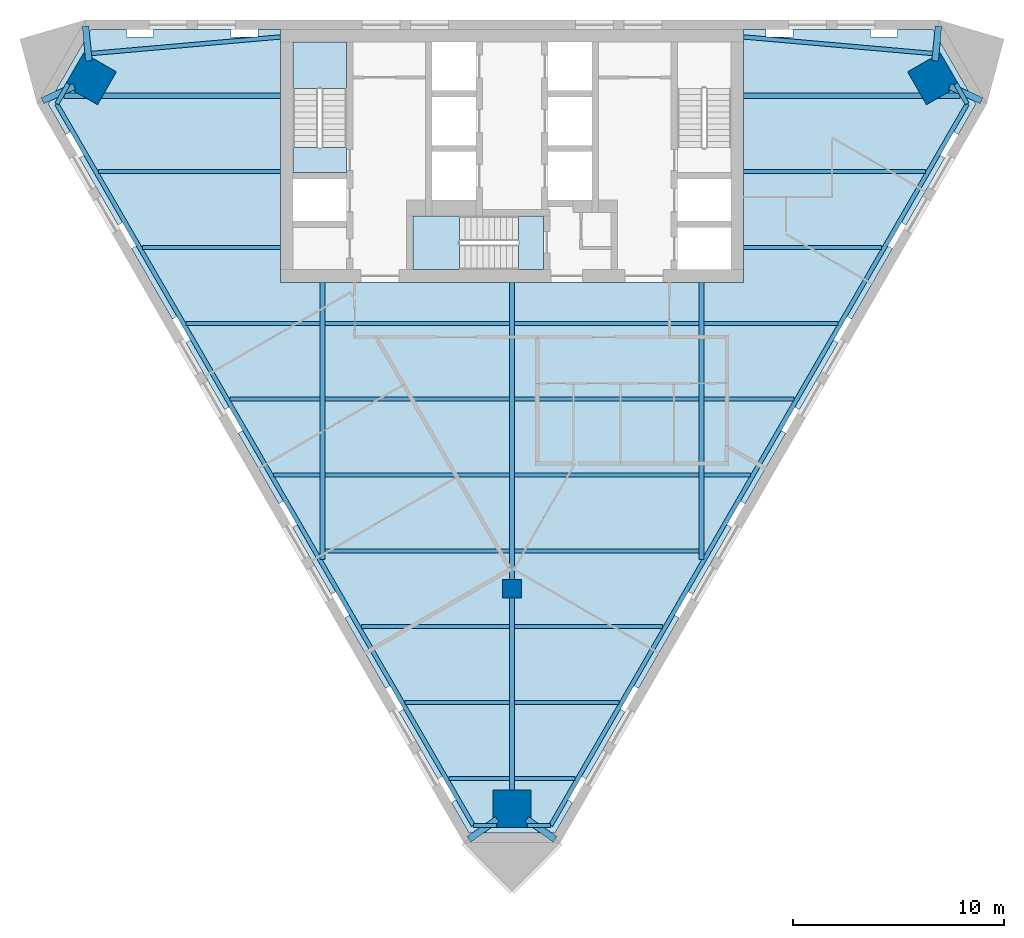
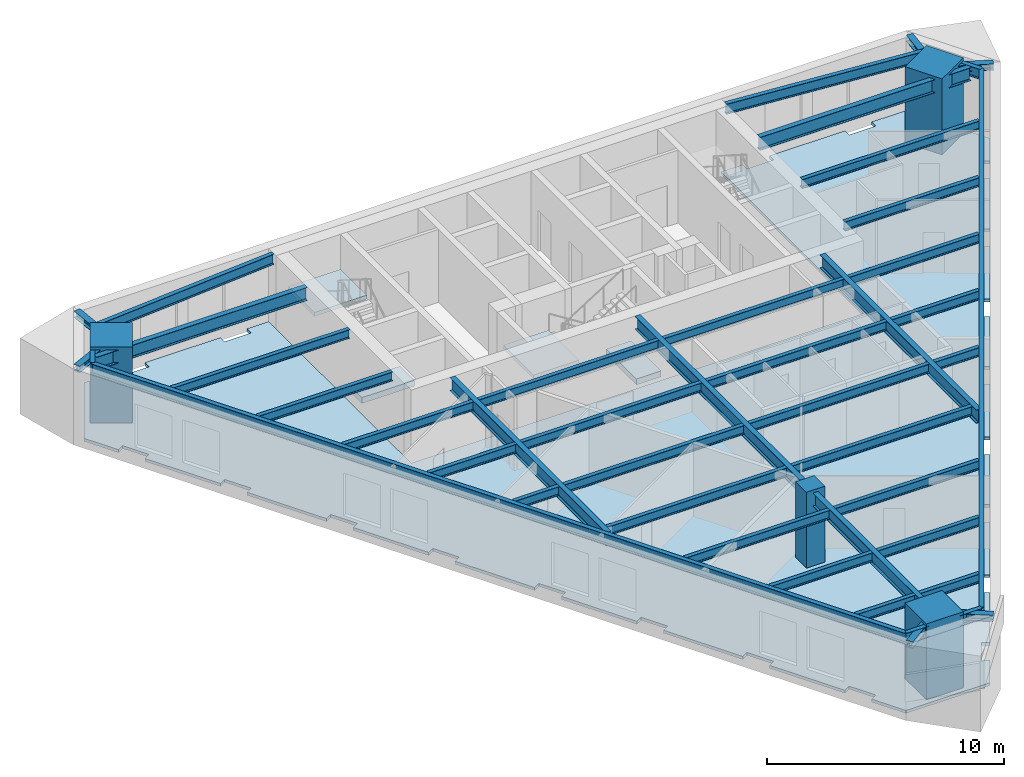
# One storey, part 1 of 7: 44 beams, 5 slabs, 4 columns, 2 elements without a shape of their own.
"""IFC4 building model written with IfcOpenShell, lengths in metres."""

from ifc_helpers import new_model, si_unit, direction, frame, origin, origin_2d, place, context, subcontext, project, spatial, polyline, rectangle, i_section, outline, extrude, material, layer, layer_set, material_profile, profile_set, type_object, element, aggregate, save


model = new_model("IFC4")

# Units and contexts
model_context = context("Model", 3, precision=1e-05, world=origin(), true_north=direction((0.0, 1.0)))
body_context = subcontext(model_context, "Body", "Model", "MODEL_VIEW")
ifc_project = project(units=[si_unit("LENGTHUNIT", "METRE"), si_unit("AREAUNIT", "SQUARE_METRE"), si_unit("VOLUMEUNIT", "CUBIC_METRE"), si_unit("PLANEANGLEUNIT", "RADIAN"), si_unit("MASSUNIT", "GRAM", prefix="KILO")], contexts=[model_context])

# Site, building, storey
site_placement = place(None, origin())
site = spatial("IfcSite", under=ifc_project, at=site_placement, CompositionType="ELEMENT")
building_placement = place(site_placement, origin())
building = spatial("IfcBuilding", under=site, at=building_placement, Name="Aloe Facet Convention Tower", CompositionType="ELEMENT")
storey_placement = place(building_placement, frame((0.0, 0.0, 155.89990234375)))
storey = spatial("IfcBuildingStorey", under=building, at=storey_placement, Name="L39", CompositionType="ELEMENT", Elevation=155.89990234375)

# Columns
ifc_material_1 = material(Name="Concrete C70/85", Category="concrete")
ifc_material_profile_1 = material_profile(ifc_material_1, rectangle(XDim=0.89990234375, YDim=0.89990234375, at=origin_2d()), Name="SF-GC-Z3")
ifc_profile_set_1 = profile_set([ifc_material_profile_1], Name="Concrete C70/85")
column_type_1 = type_object("IfcColumnType", Name="SF-GC-Z3", PredefinedType="COLUMN", material=ifc_profile_set_1)
column_placement = place(storey_placement, frame((80.0, 108.0, 0.0), z_axis=(0.0, 0.0, 1.0), x_axis=(1.0, 0.0, 0.0)))
element("IfcColumn", 1, at=column_placement, inside=storey, type_object=column_type_1, Name="Gravity column GC-Z3-9D", PredefinedType="COLUMN", context=body_context, shape_type="SweptSolid", body=[
    extrude(rectangle(XDim=0.89990234375, YDim=0.89990234375, at=origin_2d()), origin(), (0.0, 0.0, 1.0), 3.900146484375),
])
ifc_material_2 = material(Name="Concrete C80/95", Category="concrete")
ifc_material_profile_2 = material_profile(ifc_material_2, rectangle(XDim=1.800048828125, YDim=1.800048828125, at=origin_2d()), Name="STW-MC-Z3")
ifc_profile_set_2 = profile_set([ifc_material_profile_2], Name="Concrete C80/95")
column_type_2 = type_object("IfcColumnType", Name="STW-MC-Z3", PredefinedType="COLUMN", material=ifc_profile_set_2)
for number, where, z_axis, x_axis, name in (
    (2, (100.00732421875, 132.208251953125, 0.0), (0.0, 0.0, 1.0), (-0.5, 0.866025403784, 0.0), "Mega-column MC-NE-L39"),
    (3, (59.99267578125, 132.208251953125, 0.0), (0.0, 0.0, 1.0), (-0.5, -0.866025403784, 0.0), "Mega-column MC-NW-L39"),
    (4, (80.0, 97.55419921875, 0.0), (0.0, 0.0, 1.0), (1.0, 0.0, 0.0), "Mega-column MC-S-L39"),
):
    element("IfcColumn", number, at=place(storey_placement, frame(where, z_axis=z_axis, x_axis=x_axis)), inside=storey, type_object=column_type_2, Name=name, PredefinedType="COLUMN", context=body_context, shape_type="SweptSolid", body=[
        extrude(rectangle(XDim=1.800048828125, YDim=1.800048828125, at=origin_2d()), origin(), (0.0, 0.0, 1.0), 3.900146484375),
    ])

# Beams
ifc_material_3 = material(Name="Steel S355", Category="steel")
ifc_material_profile_3 = material_profile(ifc_material_3, i_section(OverallWidth=0.19140625, OverallDepth=0.4599609375, WebThickness=0.010009765625, FlangeThickness=0.01611328125, FilletRadius=0.01025390625, at=origin_2d()), Name="UB 457x191x82")
ifc_profile_set_3 = profile_set([ifc_material_profile_3], Name="Steel S355")
beam_type_1 = type_object("IfcBeamType", Name="SF-B-UB457x191x82", PredefinedType="BEAM", material=ifc_profile_set_3)
beam_1_placement = place(storey_placement, frame((60.373779296875, 127.800048828125, 3.52001953125), z_axis=(1.0, 0.0, 0.0), x_axis=(0.0, 1.0, 0.0)))
element("IfcBeam", 5, at=beam_1_placement, inside=storey, type_object=beam_type_1, Name="Floor beam FB-Z3C-015", PredefinedType="BEAM", context=body_context, shape_type="SweptSolid", body=[
    extrude(i_section(OverallWidth=0.19140625, OverallDepth=0.4599609375, WebThickness=0.010009765625, FlangeThickness=0.01611328125, FilletRadius=0.01025390625, at=origin_2d()), origin(), (0.0, 0.0, 1.0), 8.626220703125),
])
beam_2_placement = place(storey_placement, frame((62.452392578125, 124.199951171875, 3.52001953125), z_axis=(1.0, 0.0, 0.0), x_axis=(0.0, 1.0, 0.0)))
element("IfcBeam", 6, at=beam_2_placement, inside=storey, type_object=beam_type_1, Name="Floor beam FB-Z3C-016", PredefinedType="BEAM", context=body_context, shape_type="SweptSolid", body=[
    extrude(i_section(OverallWidth=0.19140625, OverallDepth=0.4599609375, WebThickness=0.010009765625, FlangeThickness=0.01611328125, FilletRadius=0.01025390625, at=origin_2d()), origin(), (0.0, 0.0, 1.0), 6.547607421875),
])
beam_3_placement = place(storey_placement, frame((64.53076171875, 120.60009765625, 3.52001953125), z_axis=(1.0, 0.0, 0.0), x_axis=(0.0, 1.0, 0.0)))
element("IfcBeam", 7, at=beam_3_placement, inside=storey, type_object=beam_type_1, Name="Floor beam FB-Z3C-017", PredefinedType="BEAM", context=body_context, shape_type="SweptSolid", body=[
    extrude(i_section(OverallWidth=0.19140625, OverallDepth=0.4599609375, WebThickness=0.010009765625, FlangeThickness=0.01611328125, FilletRadius=0.01025390625, at=origin_2d()), origin(), (0.0, 0.0, 1.0), 6.3427734375),
])
beam_4_placement = place(storey_placement, frame((66.609130859375, 117.0, 3.52001953125), z_axis=(1.0, 0.0, 0.0), x_axis=(0.0, 1.0, 0.0)))
element("IfcBeam", 8, at=beam_4_placement, inside=storey, type_object=beam_type_1, Name="Floor beam FB-Z3C-018", PredefinedType="BEAM", context=body_context, shape_type="SweptSolid", body=[
    extrude(i_section(OverallWidth=0.19140625, OverallDepth=0.4599609375, WebThickness=0.010009765625, FlangeThickness=0.01611328125, FilletRadius=0.01025390625, at=origin_2d()), origin(), (0.0, 0.0, 1.0), 4.264404296875),
])
beam_5_placement = place(storey_placement, frame((68.687744140625, 113.39990234375, 3.52001953125), z_axis=(1.0, 0.0, 0.0), x_axis=(0.0, 1.0, 0.0)))
element("IfcBeam", 9, at=beam_5_placement, inside=storey, type_object=beam_type_1, Name="Floor beam FB-Z3C-019", PredefinedType="BEAM", context=body_context, shape_type="SweptSolid", body=[
    extrude(i_section(OverallWidth=0.19140625, OverallDepth=0.4599609375, WebThickness=0.010009765625, FlangeThickness=0.01611328125, FilletRadius=0.01025390625, at=origin_2d()), origin(), (0.0, 0.0, 1.0), 2.185791015625),
])
for number, where, z_axis, x_axis, name in (
    (10, (71.12646484375, 109.800048828125, 3.52001953125), (1.0, 0.0, 0.0), (0.0, 1.0, 0.0), "Floor beam FB-Z3C-020"),
    (11, (71.12646484375, 113.39990234375, 3.52001953125), (1.0, 0.0, 0.0), (0.0, 1.0, 0.0), "Floor beam FB-Z3C-021"),
    (12, (71.12646484375, 117.0, 3.52001953125), (1.0, 0.0, 0.0), (0.0, 1.0, 0.0), "Floor beam FB-Z3C-022"),
    (13, (71.12646484375, 120.60009765625, 3.52001953125), (1.0, 0.0, 0.0), (0.0, 1.0, 0.0), "Floor beam FB-Z3C-023"),
):
    element("IfcBeam", number, at=place(storey_placement, frame(where, z_axis=z_axis, x_axis=x_axis)), inside=storey, type_object=beam_type_1, Name=name, PredefinedType="BEAM", context=body_context, shape_type="SweptSolid", body=[
        extrude(i_section(OverallWidth=0.19140625, OverallDepth=0.4599609375, WebThickness=0.010009765625, FlangeThickness=0.01611328125, FilletRadius=0.01025390625, at=origin_2d()), origin(), (0.0, 0.0, 1.0), 8.7470703125),
    ])
beam_6_placement = place(storey_placement, frame((72.844482421875, 106.199951171875, 3.52001953125), z_axis=(1.0, 0.0, 0.0), x_axis=(0.0, 1.0, 0.0)))
element("IfcBeam", 14, at=beam_6_placement, inside=storey, type_object=beam_type_1, Name="Floor beam FB-Z3C-024", PredefinedType="BEAM", context=body_context, shape_type="SweptSolid", body=[
    extrude(i_section(OverallWidth=0.19140625, OverallDepth=0.4599609375, WebThickness=0.010009765625, FlangeThickness=0.01611328125, FilletRadius=0.01025390625, at=origin_2d()), origin(), (0.0, 0.0, 1.0), 7.029052734375),
])
beam_7_placement = place(storey_placement, frame((74.923095703125, 102.60009765625, 3.52001953125), z_axis=(1.0, 0.0, 0.0), x_axis=(0.0, 1.0, 0.0)))
element("IfcBeam", 15, at=beam_7_placement, inside=storey, type_object=beam_type_1, Name="Floor beam FB-Z3C-025", PredefinedType="BEAM", context=body_context, shape_type="SweptSolid", body=[
    extrude(i_section(OverallWidth=0.19140625, OverallDepth=0.4599609375, WebThickness=0.010009765625, FlangeThickness=0.01611328125, FilletRadius=0.01025390625, at=origin_2d()), origin(), (0.0, 0.0, 1.0), 4.950439453125),
])
for number, where, z_axis, x_axis, name in (
    (16, (77.00146484375, 99.0, 3.52001953125), (1.0, 0.0, 0.0), (0.0, 1.0, 0.0), "Floor beam FB-Z3C-026"),
    (17, (80.12646484375, 99.0, 3.52001953125), (1.0, 0.0, 0.0), (0.0, 1.0, 0.0), "Floor beam FB-Z3C-027"),
):
    element("IfcBeam", number, at=place(storey_placement, frame(where, z_axis=z_axis, x_axis=x_axis)), inside=storey, type_object=beam_type_1, Name=name, PredefinedType="BEAM", context=body_context, shape_type="SweptSolid", body=[
        extrude(i_section(OverallWidth=0.19140625, OverallDepth=0.4599609375, WebThickness=0.010009765625, FlangeThickness=0.01611328125, FilletRadius=0.01025390625, at=origin_2d()), origin(), (0.0, 0.0, 1.0), 2.8720703125),
    ])
beam_8_placement = place(storey_placement, frame((80.12646484375, 102.60009765625, 3.52001953125), z_axis=(1.0, 0.0, 0.0), x_axis=(0.0, 1.0, 0.0)))
element("IfcBeam", 18, at=beam_8_placement, inside=storey, type_object=beam_type_1, Name="Floor beam FB-Z3C-028", PredefinedType="BEAM", context=body_context, shape_type="SweptSolid", body=[
    extrude(i_section(OverallWidth=0.19140625, OverallDepth=0.4599609375, WebThickness=0.010009765625, FlangeThickness=0.01611328125, FilletRadius=0.01025390625, at=origin_2d()), origin(), (0.0, 0.0, 1.0), 4.950439453125),
])
beam_9_placement = place(storey_placement, frame((80.12646484375, 106.199951171875, 3.52001953125), z_axis=(1.0, 0.0, 0.0), x_axis=(0.0, 1.0, 0.0)))
element("IfcBeam", 19, at=beam_9_placement, inside=storey, type_object=beam_type_1, Name="Floor beam FB-Z3C-029", PredefinedType="BEAM", context=body_context, shape_type="SweptSolid", body=[
    extrude(i_section(OverallWidth=0.19140625, OverallDepth=0.4599609375, WebThickness=0.010009765625, FlangeThickness=0.01611328125, FilletRadius=0.01025390625, at=origin_2d()), origin(), (0.0, 0.0, 1.0), 7.029052734375),
])
for number, where, z_axis, x_axis, name in (
    (20, (80.12646484375, 109.800048828125, 3.52001953125), (1.0, 0.0, 0.0), (0.0, 1.0, 0.0), "Floor beam FB-Z3C-030"),
    (21, (80.12646484375, 113.39990234375, 3.52001953125), (1.0, 0.0, 0.0), (0.0, 1.0, 0.0), "Floor beam FB-Z3C-031"),
    (22, (80.12646484375, 117.0, 3.52001953125), (1.0, 0.0, 0.0), (0.0, 1.0, 0.0), "Floor beam FB-Z3C-032"),
    (23, (80.12646484375, 120.60009765625, 3.52001953125), (1.0, 0.0, 0.0), (0.0, 1.0, 0.0), "Floor beam FB-Z3C-033"),
):
    element("IfcBeam", number, at=place(storey_placement, frame(where, z_axis=z_axis, x_axis=x_axis)), inside=storey, type_object=beam_type_1, Name=name, PredefinedType="BEAM", context=body_context, shape_type="SweptSolid", body=[
        extrude(i_section(OverallWidth=0.19140625, OverallDepth=0.4599609375, WebThickness=0.010009765625, FlangeThickness=0.01611328125, FilletRadius=0.01025390625, at=origin_2d()), origin(), (0.0, 0.0, 1.0), 8.7470703125),
    ])
beam_10_placement = place(storey_placement, frame((89.12646484375, 113.39990234375, 3.52001953125), z_axis=(1.0, 0.0, 0.0), x_axis=(0.0, 1.0, 0.0)))
element("IfcBeam", 24, at=beam_10_placement, inside=storey, type_object=beam_type_1, Name="Floor beam FB-Z3C-034", PredefinedType="BEAM", context=body_context, shape_type="SweptSolid", body=[
    extrude(i_section(OverallWidth=0.19140625, OverallDepth=0.4599609375, WebThickness=0.010009765625, FlangeThickness=0.01611328125, FilletRadius=0.01025390625, at=origin_2d()), origin(), (0.0, 0.0, 1.0), 2.185791015625),
])
beam_11_placement = place(storey_placement, frame((89.12646484375, 117.0, 3.52001953125), z_axis=(1.0, 0.0, 0.0), x_axis=(0.0, 1.0, 0.0)))
element("IfcBeam", 25, at=beam_11_placement, inside=storey, type_object=beam_type_1, Name="Floor beam FB-Z3C-035", PredefinedType="BEAM", context=body_context, shape_type="SweptSolid", body=[
    extrude(i_section(OverallWidth=0.19140625, OverallDepth=0.4599609375, WebThickness=0.010009765625, FlangeThickness=0.01611328125, FilletRadius=0.01025390625, at=origin_2d()), origin(), (0.0, 0.0, 1.0), 4.264404296875),
])
beam_12_placement = place(storey_placement, frame((89.12646484375, 120.60009765625, 3.52001953125), z_axis=(1.0, 0.0, 0.0), x_axis=(0.0, 1.0, 0.0)))
element("IfcBeam", 26, at=beam_12_placement, inside=storey, type_object=beam_type_1, Name="Floor beam FB-Z3C-036", PredefinedType="BEAM", context=body_context, shape_type="SweptSolid", body=[
    extrude(i_section(OverallWidth=0.19140625, OverallDepth=0.4599609375, WebThickness=0.010009765625, FlangeThickness=0.01611328125, FilletRadius=0.01025390625, at=origin_2d()), origin(), (0.0, 0.0, 1.0), 6.3427734375),
])
beam_13_placement = place(storey_placement, frame((91.0, 124.199951171875, 3.52001953125), z_axis=(1.0, 0.0, 0.0), x_axis=(0.0, 1.0, 0.0)))
element("IfcBeam", 27, at=beam_13_placement, inside=storey, type_object=beam_type_1, Name="Floor beam FB-Z3C-037", PredefinedType="BEAM", context=body_context, shape_type="SweptSolid", body=[
    extrude(i_section(OverallWidth=0.19140625, OverallDepth=0.4599609375, WebThickness=0.010009765625, FlangeThickness=0.01611328125, FilletRadius=0.01025390625, at=origin_2d()), origin(), (0.0, 0.0, 1.0), 6.547607421875),
])
beam_14_placement = place(storey_placement, frame((91.0, 127.800048828125, 3.52001953125), z_axis=(1.0, 0.0, 0.0), x_axis=(0.0, 1.0, 0.0)))
element("IfcBeam", 28, at=beam_14_placement, inside=storey, type_object=beam_type_1, Name="Floor beam FB-Z3C-038", PredefinedType="BEAM", context=body_context, shape_type="SweptSolid", body=[
    extrude(i_section(OverallWidth=0.19140625, OverallDepth=0.4599609375, WebThickness=0.010009765625, FlangeThickness=0.01611328125, FilletRadius=0.01025390625, at=origin_2d()), origin(), (0.0, 0.0, 1.0), 8.626220703125),
])
ifc_material_4 = material(Name="Steel S355", Category="steel")
ifc_material_profile_4 = material_profile(ifc_material_4, i_section(OverallWidth=0.209228515625, OverallDepth=0.533203125, WebThickness=0.010009765625, FlangeThickness=0.015625, FilletRadius=0.0126953125, at=origin_2d()), Name="UB 533x210x92")
ifc_profile_set_4 = profile_set([ifc_material_profile_4], Name="Steel S355")
beam_type_2 = type_object("IfcBeamType", Name="SF-B-UB533x210x92", PredefinedType="BEAM", material=ifc_profile_set_4)
beam_15_placement = place(storey_placement, frame((58.385986328125, 131.016357421875, 3.483642578125), z_axis=(0.50002983664, 0.866008176907, 0.0), x_axis=(-0.866008176907, 0.50002983664, 0.0)))
element("IfcBeam", 29, at=beam_15_placement, inside=storey, type_object=beam_type_2, Name="Floor beam FB-Z3C-001", PredefinedType="BEAM", context=body_context, shape_type="SweptSolid", body=[
    extrude(i_section(OverallWidth=0.209228515625, OverallDepth=0.533203125, WebThickness=0.010009765625, FlangeThickness=0.015625, FilletRadius=0.0126953125, at=origin_2d()), origin(), (0.0, 0.0, 1.0), 1.10009765625),
])
beam_16_placement = place(storey_placement, frame((59.75390625, 133.38525390625, 3.483642578125), z_axis=(0.996184118201, 0.087276587035, 0.0), x_axis=(-0.087276587035, 0.996184118201, 0.0)))
element("IfcBeam", 30, at=beam_16_placement, inside=storey, type_object=beam_type_2, Name="Floor beam FB-Z3C-002", PredefinedType="BEAM", context=body_context, shape_type="SweptSolid", body=[
    extrude(i_section(OverallWidth=0.209228515625, OverallDepth=0.533203125, WebThickness=0.010009765625, FlangeThickness=0.015625, FilletRadius=0.0126953125, at=origin_2d()), origin(), (0.0, 0.0, 1.0), 9.281494140625),
])
beam_17_placement = place(storey_placement, frame((78.16455078125, 96.7587890625, 3.483642578125), z_axis=(-0.499999016722, 0.866025971479, 0.0), x_axis=(-0.866025971479, -0.499999016722, 0.0)))
element("IfcBeam", 31, at=beam_17_placement, inside=storey, type_object=beam_type_2, Name="Floor beam FB-Z3C-003", PredefinedType="BEAM", context=body_context, shape_type="SweptSolid", body=[
    extrude(i_section(OverallWidth=0.209228515625, OverallDepth=0.533203125, WebThickness=0.010009765625, FlangeThickness=0.015625, FilletRadius=0.0126953125, at=origin_2d()), origin(), (0.0, 0.0, 1.0), 39.55712890625),
])
for number, where, z_axis, x_axis, name in (
    (32, (79.2646484375, 96.7587890625, 3.483642578125), (-1.0, 0.0, 0.0), (0.0, -1.0, 0.0), "Floor beam FB-Z3C-004"),
    (33, (81.83544921875, 96.7587890625, 3.483642578125), (-1.0, 0.0, 0.0), (0.0, -1.0, 0.0), "Floor beam FB-Z3C-005"),
):
    element("IfcBeam", number, at=place(storey_placement, frame(where, z_axis=z_axis, x_axis=x_axis)), inside=storey, type_object=beam_type_2, Name=name, PredefinedType="BEAM", context=body_context, shape_type="SweptSolid", body=[
        extrude(i_section(OverallWidth=0.209228515625, OverallDepth=0.533203125, WebThickness=0.010009765625, FlangeThickness=0.015625, FilletRadius=0.0126953125, at=origin_2d()), origin(), (0.0, 0.0, 1.0), 1.10009765625),
    ])
beam_18_placement = place(storey_placement, frame((100.24609375, 133.38525390625, 3.483642578125), z_axis=(-0.996184118201, 0.087276587035, 0.0), x_axis=(-0.087276587035, -0.996184118201, 0.0)))
element("IfcBeam", 34, at=beam_18_placement, inside=storey, type_object=beam_type_2, Name="Floor beam FB-Z3C-006", PredefinedType="BEAM", context=body_context, shape_type="SweptSolid", body=[
    extrude(i_section(OverallWidth=0.209228515625, OverallDepth=0.533203125, WebThickness=0.010009765625, FlangeThickness=0.015625, FilletRadius=0.0126953125, at=origin_2d()), origin(), (0.0, 0.0, 1.0), 9.281494140625),
])
beam_19_placement = place(storey_placement, frame((101.06396484375, 131.968994140625, 3.483642578125), z_axis=(0.50002983664, -0.866008176907, 0.0), x_axis=(0.866008176907, 0.50002983664, 0.0)))
element("IfcBeam", 35, at=beam_19_placement, inside=storey, type_object=beam_type_2, Name="Floor beam FB-Z3C-007", PredefinedType="BEAM", context=body_context, shape_type="SweptSolid", body=[
    extrude(i_section(OverallWidth=0.209228515625, OverallDepth=0.533203125, WebThickness=0.010009765625, FlangeThickness=0.015625, FilletRadius=0.0126953125, at=origin_2d()), origin(), (0.0, 0.0, 1.0), 1.10009765625),
])
beam_20_placement = place(storey_placement, frame((101.614013671875, 131.016357421875, 3.483642578125), z_axis=(-0.499999016722, -0.866025971479, 0.0), x_axis=(0.866025971479, -0.499999016722, 0.0)))
element("IfcBeam", 36, at=beam_20_placement, inside=storey, type_object=beam_type_2, Name="Floor beam FB-Z3C-008", PredefinedType="BEAM", context=body_context, shape_type="SweptSolid", body=[
    extrude(i_section(OverallWidth=0.209228515625, OverallDepth=0.533203125, WebThickness=0.010009765625, FlangeThickness=0.015625, FilletRadius=0.0126953125, at=origin_2d()), origin(), (0.0, 0.0, 1.0), 39.55712890625),
])
ifc_material_5 = material(Name="Steel S355", Category="steel")
ifc_material_profile_5 = material_profile(ifc_material_5, i_section(OverallWidth=0.2529296875, OverallDepth=0.677978515625, WebThickness=0.01171875, FlangeThickness=0.01611328125, FilletRadius=0.01513671875, at=origin_2d()), Name="UB 686x254x125")
ifc_profile_set_5 = profile_set([ifc_material_profile_5], Name="Steel S355")
beam_type_3 = type_object("IfcBeamType", Name="SF-B-UB686x254x125", PredefinedType="BEAM", material=ifc_profile_set_5)
beam_21_placement = place(storey_placement, frame((58.73828125, 131.39990234375, 3.4111328125), z_axis=(1.0, 0.0, 0.0), x_axis=(0.0, 1.0, 0.0)))
element("IfcBeam", 37, at=beam_21_placement, inside=storey, type_object=beam_type_3, Name="Floor beam FB-Z3C-009", PredefinedType="BEAM", context=body_context, shape_type="SweptSolid", body=[
    extrude(i_section(OverallWidth=0.2529296875, OverallDepth=0.677978515625, WebThickness=0.01171875, FlangeThickness=0.01611328125, FilletRadius=0.01513671875, at=origin_2d()), origin(), (0.0, 0.0, 1.0), 10.26171875),
])
beam_22_placement = place(storey_placement, frame((71.0, 122.550048828125, 3.4111328125), z_axis=(0.0, -1.0, 0.0), x_axis=(1.0, 0.0, 0.0)))
element("IfcBeam", 38, at=beam_22_placement, inside=storey, type_object=beam_type_3, Name="Floor beam FB-Z3C-010", PredefinedType="BEAM", context=body_context, shape_type="SweptSolid", body=[
    extrude(i_section(OverallWidth=0.2529296875, OverallDepth=0.677978515625, WebThickness=0.01171875, FlangeThickness=0.01611328125, FilletRadius=0.01513671875, at=origin_2d()), origin(), (0.0, 0.0, 1.0), 13.162353515625),
])
beam_23_placement = place(storey_placement, frame((80.0, 107.550048828125, 3.4111328125), z_axis=(0.0, -1.0, 0.0), x_axis=(1.0, 0.0, 0.0)))
element("IfcBeam", 39, at=beam_23_placement, inside=storey, type_object=beam_type_3, Name="Floor beam FB-Z3C-011", PredefinedType="BEAM", context=body_context, shape_type="SweptSolid", body=[
    extrude(i_section(OverallWidth=0.2529296875, OverallDepth=0.677978515625, WebThickness=0.01171875, FlangeThickness=0.01611328125, FilletRadius=0.01513671875, at=origin_2d()), origin(), (0.0, 0.0, 1.0), 10.676513671875),
])
beam_24_placement = place(storey_placement, frame((80.0, 122.550048828125, 3.4111328125), z_axis=(0.0, -1.0, 0.0), x_axis=(1.0, 0.0, 0.0)))
element("IfcBeam", 40, at=beam_24_placement, inside=storey, type_object=beam_type_3, Name="Floor beam FB-Z3C-012", PredefinedType="BEAM", context=body_context, shape_type="SweptSolid", body=[
    extrude(i_section(OverallWidth=0.2529296875, OverallDepth=0.677978515625, WebThickness=0.01171875, FlangeThickness=0.01611328125, FilletRadius=0.01513671875, at=origin_2d()), origin(), (0.0, 0.0, 1.0), 14.10009765625),
])
beam_25_placement = place(storey_placement, frame((89.0, 122.550048828125, 3.4111328125), z_axis=(0.0, -1.0, 0.0), x_axis=(1.0, 0.0, 0.0)))
element("IfcBeam", 41, at=beam_25_placement, inside=storey, type_object=beam_type_3, Name="Floor beam FB-Z3C-013", PredefinedType="BEAM", context=body_context, shape_type="SweptSolid", body=[
    extrude(i_section(OverallWidth=0.2529296875, OverallDepth=0.677978515625, WebThickness=0.01171875, FlangeThickness=0.01611328125, FilletRadius=0.01513671875, at=origin_2d()), origin(), (0.0, 0.0, 1.0), 13.162353515625),
])
beam_26_placement = place(storey_placement, frame((91.0, 131.39990234375, 3.4111328125), z_axis=(1.0, 0.0, 0.0), x_axis=(0.0, 1.0, 0.0)))
element("IfcBeam", 42, at=beam_26_placement, inside=storey, type_object=beam_type_3, Name="Floor beam FB-Z3C-014", PredefinedType="BEAM", context=body_context, shape_type="SweptSolid", body=[
    extrude(i_section(OverallWidth=0.2529296875, OverallDepth=0.677978515625, WebThickness=0.01171875, FlangeThickness=0.01611328125, FilletRadius=0.01513671875, at=origin_2d()), origin(), (0.0, 0.0, 1.0), 10.26171875),
])
ifc_material_6 = material(Name="Steel S355", Category="steel")
ifc_material_profile_6 = material_profile(ifc_material_6, i_section(OverallWidth=0.311279296875, OverallDepth=0.3271484375, WebThickness=0.015869140625, FlangeThickness=0.02490234375, FilletRadius=0.01513671875, at=origin_2d()), Name="UC 305x305x158")
ifc_profile_set_6 = profile_set([ifc_material_profile_6], Name="Steel S355")
beam_type_4 = type_object("IfcBeamType", Name="STW-NT", PredefinedType="BEAM", material=ifc_profile_set_6)
for number, where, z_axis, x_axis, name in (
    (43, (100.2431640625, 134.699951171875, 3.58642578125), (-0.094150323286, -0.995557992598, 0.0), (0.995557992598, -0.094150323286, 0.0), "Lattice tie NT-Z3-F1-R4-01"),
    (44, (59.7568359375, 134.699951171875, 3.58642578125), (0.094150323286, -0.995557992598, 0.0), (0.995557992598, 0.094150323286, 0.0), "Lattice tie NT-Z3-F1-R4-05"),
    (45, (57.716796875, 131.166259765625, 3.58642578125), (0.909254559115, 0.416240491458, 0.0), (-0.416240491458, 0.909254559115, 0.0), "Lattice tie NT-Z3-F2-R4-01"),
):
    element("IfcBeam", number, at=place(storey_placement, frame(where, z_axis=z_axis, x_axis=x_axis)), inside=storey, type_object=beam_type_4, Name=name, PredefinedType="BEAM", context=body_context, shape_type="SweptSolid", body=[
        extrude(i_section(OverallWidth=0.311279296875, OverallDepth=0.3271484375, WebThickness=0.015869140625, FlangeThickness=0.02490234375, FilletRadius=0.01513671875, at=origin_2d()), origin(), (0.0, 0.0, 1.0), 1.64404296875),
    ])
for number, where, z_axis, x_axis, name in (
    (46, (77.959716796875, 96.104248046875, 3.58642578125), (0.815165648641, 0.579227904435, 0.0), (-0.579227904435, 0.815165648641, 0.0), "Lattice tie NT-Z3-F2-R4-05"),
    (47, (82.040283203125, 96.104248046875, 3.58642578125), (-0.815165648641, 0.579227904435, 0.0), (-0.579227904435, -0.815165648641, 0.0), "Lattice tie NT-Z3-F3-R4-01"),
):
    element("IfcBeam", number, at=place(storey_placement, frame(where, z_axis=z_axis, x_axis=x_axis)), inside=storey, type_object=beam_type_4, Name=name, PredefinedType="BEAM", context=body_context, shape_type="SweptSolid", body=[
        extrude(i_section(OverallWidth=0.311279296875, OverallDepth=0.3271484375, WebThickness=0.015869140625, FlangeThickness=0.02490234375, FilletRadius=0.01513671875, at=origin_2d()), origin(), (0.0, 0.0, 1.0), 1.644287109375),
    ])
beam_27_placement = place(storey_placement, frame((102.283203125, 131.166259765625, 3.58642578125), z_axis=(-0.909254559115, 0.416240491458, 0.0), x_axis=(-0.416240491458, -0.909254559115, 0.0)))
element("IfcBeam", 48, at=beam_27_placement, inside=storey, type_object=beam_type_4, Name="Lattice tie NT-Z3-F3-R4-05", PredefinedType="BEAM", context=body_context, shape_type="SweptSolid", body=[
    extrude(i_section(OverallWidth=0.311279296875, OverallDepth=0.3271484375, WebThickness=0.015869140625, FlangeThickness=0.02490234375, FilletRadius=0.01513671875, at=origin_2d()), origin(), (0.0, 0.0, 1.0), 1.64404296875),
])

# Slabs
ifc_material_7 = material(Name="Concrete C60/75", Category="concrete")
ifc_layer_1 = layer(ifc_material_7, 0.300048828125)
ifc_layer_set_1 = layer_set([ifc_layer_1], Name="CR-S-FLOOR300-C6075")
slab_type_1 = type_object("IfcSlabType", Name="CR-S-FLOOR300-C6075", PredefinedType="FLOOR", material=ifc_layer_set_1)
slab_1_placement = place(storey_placement, frame((0.0, 0.0, -0.2998046875)))
element("IfcSlab", 49, at=slab_1_placement, inside=storey, type_object=slab_type_1, Name="Stair landing floor L39", PredefinedType="FLOOR", context=body_context, shape_type="SweptSolid", body=[
    extrude(outline(polyline([(72.14990234375, 127.75), (72.14990234375, 128.951171875), (69.60009765625, 128.951171875), (69.60009765625, 127.75), (72.14990234375, 127.75)])), origin(), (0.0, 0.0, 1.0), 0.2998046875),
])
slab_2_placement = place(storey_placement, frame((0.0, 0.0, -0.2998046875)))
element("IfcSlab", 50, at=slab_2_placement, inside=storey, type_object=slab_type_1, Name="Stair landing floor L39", PredefinedType="FLOOR", context=body_context, shape_type="SweptSolid", body=[
    extrude(outline(polyline([(81.5, 125.699951171875), (80.298828125, 125.699951171875), (80.298828125, 123.14990234375), (81.5, 123.14990234375), (81.5, 125.699951171875)])), origin(), (0.0, 0.0, 1.0), 0.2998046875),
])

# Stair, slab
ifc_material_8 = material(Name="Concrete C50/60", Category="concrete")
stair_type = type_object("IfcStairType", Name="CR-ST-22R", PredefinedType="HALF_TURN_STAIR", material=ifc_material_8)
stair_1_placement = place(storey_placement, origin())
stair_1 = element("IfcStair", 51, at=stair_1_placement, inside=storey, type_object=stair_type, Name="L39 Protected exit stair ST1", PredefinedType="HALF_TURN_STAIR")
ifc_material_9 = material(Name="Concrete C50/60", Category="concrete")
ifc_layer_2 = layer(ifc_material_9, 0.199951171875)
ifc_layer_set_2 = layer_set([ifc_layer_2], Name="CR-SL-LANDING")
slab_type_2 = type_object("IfcSlabType", Name="CR-SL-LANDING", PredefinedType="LANDING", material=ifc_layer_set_2)
slab_3_placement = place(storey_placement, frame((0.0, 0.0, 1.75)))
slab_3 = element("IfcSlab", 52, at=slab_3_placement, type_object=slab_type_2, Name="ST1 landing 1", PredefinedType="LANDING", context=body_context, shape_type="SweptSolid", body=[
    extrude(outline(polyline([(72.14990234375, 131.75), (72.14990234375, 133.949951171875), (69.60009765625, 133.949951171875), (69.60009765625, 131.75), (72.14990234375, 131.75)])), origin(), (0.0, 0.0, 1.0), 0.2001953125),
])
aggregate(stair_1, [slab_3])

stair_2_placement = place(storey_placement, origin())
stair_2 = element("IfcStair", 53, at=stair_2_placement, inside=storey, type_object=stair_type, Name="L39 Protected exit stair ST3", PredefinedType="HALF_TURN_STAIR")
slab_4_placement = place(storey_placement, frame((0.0, 0.0, 1.75)))
slab_4 = element("IfcSlab", 54, at=slab_4_placement, type_object=slab_type_2, Name="ST3 landing 1", PredefinedType="LANDING", context=body_context, shape_type="SweptSolid", body=[
    extrude(outline(polyline([(77.5, 125.699951171875), (75.300048828125, 125.699951171875), (75.300048828125, 123.14990234375), (77.5, 123.14990234375), (77.5, 125.699951171875)])), origin(), (0.0, 0.0, 1.0), 0.2001953125),
])
aggregate(stair_2, [slab_4])

# Slab
ifc_material_10 = material(Name="Concrete C35/45", Category="concrete")
ifc_layer_3 = layer(ifc_material_10, 0.14990234375)
ifc_layer_set_3 = layer_set([ifc_layer_3], Name="SF-FS-150")
slab_type_3 = type_object("IfcSlabType", Name="SF-FS-150", PredefinedType="FLOOR", material=ifc_layer_set_3)
slab_5_placement = place(storey_placement, frame((0.0, 0.0, -0.14990234375)))
element("IfcSlab", 55, at=slab_5_placement, inside=storey, type_object=slab_type_3, Name="Floor slab L39-1", PredefinedType="FLOOR", context=body_context, shape_type="SweptSolid", body=[
    extrude(outline(polyline([(102.0234375, 131.016357421875), (101.186279296875, 129.566162109375), (100.883056640625, 129.7412109375), (100.23828125, 128.62451171875), (100.54150390625, 128.449462890625), (98.70458984375, 125.267578125), (98.4013671875, 125.442626953125), (97.756591796875, 124.325927734375), (98.059814453125, 124.15087890625), (96.12548828125, 120.800537109375), (95.822265625, 120.9755859375), (95.177490234375, 119.85888671875), (95.480712890625, 119.683837890625), (93.643798828125, 116.502197265625), (93.340576171875, 116.677001953125), (92.69580078125, 115.560546875), (92.9990234375, 115.385498046875), (91.064697265625, 112.03515625), (90.761474609375, 112.210205078125), (90.116943359375, 111.093505859375), (90.419921875, 110.91845703125), (88.5830078125, 107.736572265625), (88.27978515625, 107.91162109375), (87.635009765625, 106.794921875), (87.938232421875, 106.6201171875), (86.00390625, 103.26953125), (85.70068359375, 103.444580078125), (85.05615234375, 102.327880859375), (85.359130859375, 102.15283203125), (83.522216796875, 98.97119140625), (83.218994140625, 99.14599609375), (82.574462890625, 98.029541015625), (82.87744140625, 97.8544921875), (82.040283203125, 96.404296875), (77.959716796875, 96.404296875), (77.12255859375, 97.8544921875), (77.425537109375, 98.029541015625), (76.781005859375, 99.14599609375), (76.477783203125, 98.97119140625), (74.640869140625, 102.15283203125), (74.94384765625, 102.327880859375), (74.29931640625, 103.444580078125), (73.99609375, 103.26953125), (72.061767578125, 106.6201171875), (72.364990234375, 106.794921875), (71.72021484375, 107.91162109375), (71.4169921875, 107.736572265625), (69.580078125, 110.91845703125), (69.883056640625, 111.093505859375), (69.238525390625, 112.210205078125), (68.935302734375, 112.03515625), (67.0009765625, 115.385498046875), (67.30419921875, 115.560546875), (66.659423828125, 116.677001953125), (66.356201171875, 116.502197265625), (64.519287109375, 119.683837890625), (64.822509765625, 119.85888671875), (64.177734375, 120.9755859375), (63.87451171875, 120.800537109375), (61.940185546875, 124.15087890625), (62.243408203125, 124.325927734375), (61.5986328125, 125.442626953125), (61.29541015625, 125.267578125), (59.45849609375, 128.449462890625), (59.76171875, 128.62451171875), (59.116943359375, 129.7412109375), (58.813720703125, 129.566162109375), (57.9765625, 131.016357421875), (60.0166015625, 134.550048828125), (61.69140625, 134.550048828125), (61.69140625, 134.199951171875), (62.980712890625, 134.199951171875), (62.980712890625, 134.550048828125), (66.65478515625, 134.550048828125), (66.65478515625, 134.199951171875), (67.944091796875, 134.199951171875), (67.944091796875, 134.550048828125), (69.0, 134.550048828125), (69.0, 128.050048828125), (69.0, 127.14990234375), (69.0, 125.75), (69.0, 124.85009765625), (69.0, 122.550048828125), (71.85009765625, 122.550048828125), (72.75, 122.550048828125), (74.699951171875, 122.550048828125), (75.60009765625, 122.550048828125), (81.199951171875, 122.550048828125), (82.10009765625, 122.550048828125), (84.39990234375, 122.550048828125), (85.300048828125, 122.550048828125), (87.25, 122.550048828125), (88.14990234375, 122.550048828125), (91.0, 122.550048828125), (91.0, 124.85009765625), (91.0, 125.75), (91.0, 127.14990234375), (91.0, 128.050048828125), (91.0, 134.550048828125), (92.055908203125, 134.550048828125), (92.055908203125, 134.199951171875), (93.34521484375, 134.199951171875), (93.34521484375, 134.550048828125), (97.019287109375, 134.550048828125), (97.019287109375, 134.199951171875), (98.30859375, 134.199951171875), (98.30859375, 134.550048828125), (99.9833984375, 134.550048828125), (102.0234375, 131.016357421875)]), holes=[polyline([(80.89990234375, 96.654296875), (80.89990234375, 98.4541015625), (79.10009765625, 98.4541015625), (79.10009765625, 96.654296875), (80.89990234375, 96.654296875)]), polyline([(59.6630859375, 133.4375), (58.76318359375, 131.878662109375), (60.322021484375, 130.978759765625), (61.221923828125, 132.53759765625), (59.6630859375, 133.4375)]), polyline([(80.449951171875, 107.550048828125), (80.449951171875, 108.449951171875), (79.550048828125, 108.449951171875), (79.550048828125, 107.550048828125), (80.449951171875, 107.550048828125)]), polyline([(101.23681640625, 131.878662109375), (100.3369140625, 133.4375), (98.778076171875, 132.53759765625), (99.677978515625, 130.978759765625), (101.23681640625, 131.878662109375)])]), origin(), (0.0, 0.0, 1.0), 0.14990234375),
])

save(model, "model.ifc")
